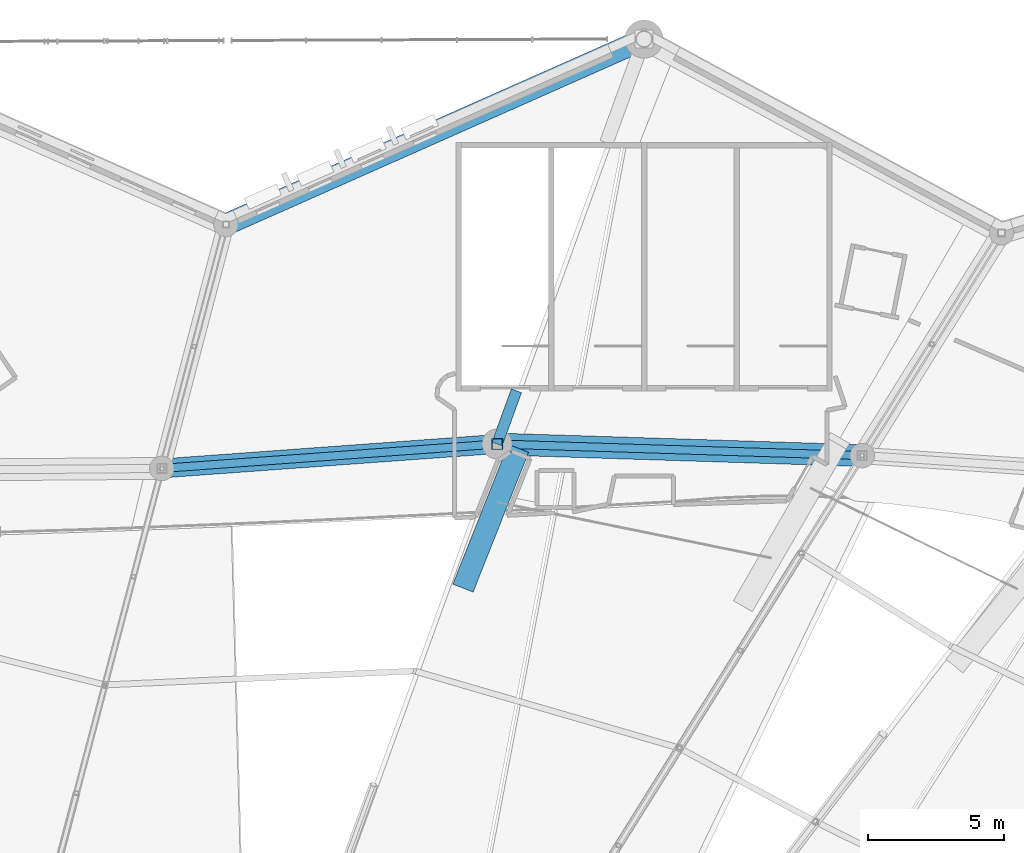
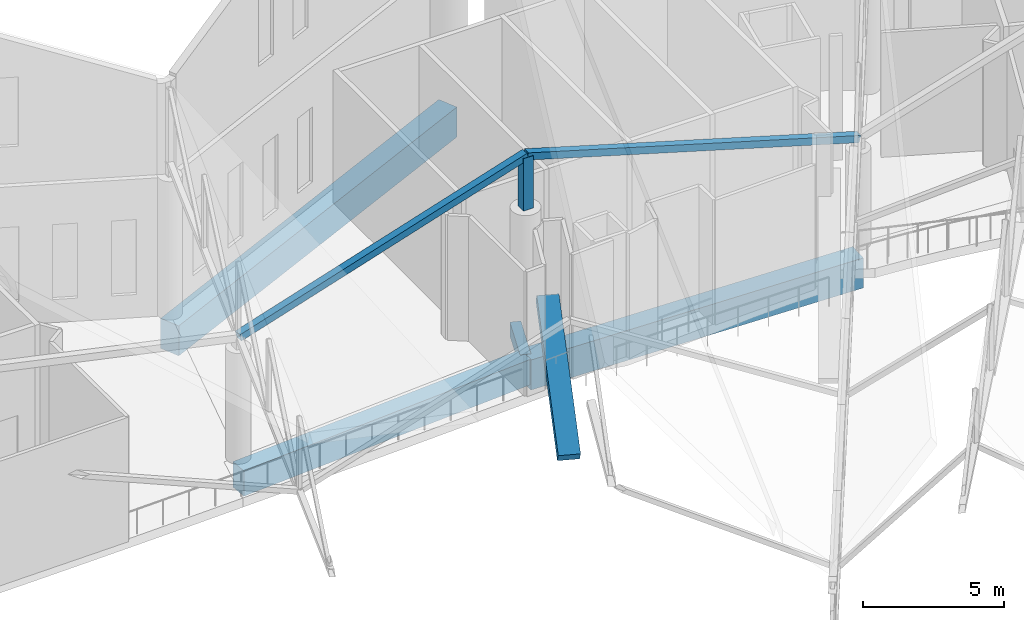
# One storey, part 200 of 344: 5 beams, 3 members.
"""IFC4 building model written with IfcOpenShell, lengths in metres."""

from ifc_helpers import new_model, si_unit, direction, frame, origin, origin_2d, place, context, subcontext, project, spatial, rectangle, hollow_rectangle, extrude, material, material_profile, profile_set, type_object, element, save


model = new_model("IFC4")

# Units and contexts
model_context = context("Model", 3, precision=1e-05, world=origin(), true_north=direction((0.0, 1.0)))
body_context = subcontext(model_context, "Body", "Model", "MODEL_VIEW")
ifc_project = project(units=[si_unit("LENGTHUNIT", "METRE"), si_unit("AREAUNIT", "SQUARE_METRE"), si_unit("VOLUMEUNIT", "CUBIC_METRE"), si_unit("PLANEANGLEUNIT", "RADIAN"), si_unit("MASSUNIT", "GRAM", prefix="KILO")], contexts=[model_context])

# Site, building, storey
site_placement = place(None, origin())
site = spatial("IfcSite", under=ifc_project, at=site_placement, CompositionType="ELEMENT")
building_placement = place(site_placement, origin())
building = spatial("IfcBuilding", under=site, at=building_placement, Name="Meseta Stadium", CompositionType="ELEMENT")
storey_placement = place(building_placement, frame((0.0, 0.0, 24.0)))
storey = spatial("IfcBuildingStorey", under=building, at=storey_placement, Name="L04", CompositionType="ELEMENT", Elevation=24.0)

# Beams
ifc_material_1 = material(Name="Concrete C40/50", Category="concrete")
ifc_material_profile_1 = material_profile(ifc_material_1, rectangle(XDim=0.39990234375, YDim=0.60009765625, at=origin_2d()), Name="RC 400x600")
ifc_profile_set_1 = profile_set([ifc_material_profile_1], Name="Concrete C40/50")
beam_type_1 = type_object("IfcBeamType", Name="RC beam 400x600", PredefinedType="BEAM", material=ifc_profile_set_1)
beam_1_placement = place(storey_placement, frame((32.944091796875, 90.551025390625, -0.699951171875), z_axis=(0.341128443291, 0.940016694095, 0.0), x_axis=(-0.940016694095, 0.341128443291, 0.0)))
element("IfcBeam", 1, at=beam_1_placement, inside=storey, type_object=beam_type_1, Name="L04 radial beam frame 16 line P to R", PredefinedType="BEAM", context=body_context, shape_type="SweptSolid", body=[
    extrude(rectangle(XDim=0.39990234375, YDim=0.60009765625, at=origin_2d()), origin(), (0.0, 0.0, 1.0), 2.0732421875),
])
ifc_material_2 = material(Name="Concrete C40/50", Category="concrete")
ifc_material_profile_2 = material_profile(ifc_material_2, rectangle(XDim=0.699951171875, YDim=1.10009765625, at=origin_2d()), Name="RC 700x1100")
ifc_profile_set_2 = profile_set([ifc_material_profile_2], Name="Concrete C40/50")
beam_type_2 = type_object("IfcBeamType", Name="RC beam 700x1100", PredefinedType="BEAM", material=ifc_profile_set_2)
beam_2_placement = place(storey_placement, frame((32.944091796875, 90.551025390625, -0.949951171875), z_axis=(-0.99736209032, -0.072586918881, 0.0), x_axis=(0.072586918881, -0.99736209032, 0.0)))
element("IfcBeam", 2, at=beam_2_placement, inside=storey, type_object=beam_type_2, Name="L04 ring beam frame 16 line P", PredefinedType="BEAM", context=body_context, shape_type="SweptSolid", body=[
    extrude(rectangle(XDim=0.699951171875, YDim=1.10009765625, at=origin_2d()), origin(), (0.0, 0.0, 1.0), 12.326904296875),
])
ifc_material_3 = material(Name="Concrete C40/50", Category="concrete")
ifc_material_profile_3 = material_profile(ifc_material_3, rectangle(XDim=0.800048828125, YDim=1.300048828125, at=origin_2d()), Name="RC 800x1300")
ifc_profile_set_3 = profile_set([ifc_material_profile_3], Name="Concrete C40/50")
beam_type_3 = type_object("IfcBeamType", Name="RC beam 800x1300", PredefinedType="BEAM", material=ifc_profile_set_3)
beam_3_placement = place(storey_placement, frame((46.333251953125, 90.126220703125, -1.050048828125), z_axis=(-0.999497062289, 0.031711551154, 0.0), x_axis=(-0.031711551154, -0.999497062289, 0.0)))
element("IfcBeam", 3, at=beam_3_placement, inside=storey, type_object=beam_type_3, Name="L04 ring beam frame 15 line P", PredefinedType="BEAM", context=body_context, shape_type="SweptSolid", body=[
    extrude(rectangle(XDim=0.800048828125, YDim=1.300048828125, at=origin_2d()), origin(), (0.0, 0.0, 1.0), 13.39599609375),
])
beam_4_placement = place(storey_placement, frame((38.333251953125, 105.39990234375, -1.050048828125), z_axis=(-0.914142564088, -0.405392861953, 0.0), x_axis=(0.405392861953, -0.914142564088, 0.0)))
element("IfcBeam", 4, at=beam_4_placement, inside=storey, type_object=beam_type_3, Name="L04 ring beam frame 16 line R", PredefinedType="BEAM", context=body_context, shape_type="SweptSolid", body=[
    extrude(rectangle(XDim=0.800048828125, YDim=1.300048828125, at=origin_2d()), origin(), (0.0, 0.0, 1.0), 16.7734375),
])
ifc_material_4 = material(Name="Concrete C40/50", Category="concrete")
ifc_material_profile_4 = material_profile(ifc_material_4, rectangle(XDim=0.800048828125, YDim=0.449951171875, at=origin_2d()), Name="RC 800x450")
ifc_profile_set_4 = profile_set([ifc_material_profile_4], Name="Concrete C40/50")
beam_type_4 = type_object("IfcBeamType", Name="RC raker upper rear 800x450", PredefinedType="USERDEFINED", material=ifc_profile_set_4)
beam_5_placement = place(storey_placement, frame((31.73681640625, 85.376708984375, -1.297607421875), z_axis=(0.312988278729, 0.788750872969, 0.529065589288), x_axis=(-0.929493983417, 0.368837274136, 0.0)))
element("IfcBeam", 5, at=beam_5_placement, inside=storey, type_object=beam_type_4, Name="Raker upper rear frame 16 upper tier", ObjectType="RAKER", PredefinedType="USERDEFINED", context=body_context, shape_type="SweptSolid", body=[
    extrude(rectangle(XDim=0.800048828125, YDim=0.449951171875, at=origin_2d()), origin(), (0.0, 0.0, 1.0), 6.219970703125),
])

# Members
ifc_material_5 = material(Name="Steel S355", Category="steel")
ifc_material_profile_5 = material_profile(ifc_material_5, hollow_rectangle(XDim=0.300048828125, YDim=0.300048828125, WallThickness=0.010009765625, at=origin_2d()), Name="SHS 300x300x10")
ifc_profile_set_5 = profile_set([ifc_material_profile_5], Name="Steel S355")
member_type_1 = type_object("IfcMemberType", Name="SHS 300x300x10 pivot strut", PredefinedType="STRUT", material=ifc_profile_set_5)
member_1_placement = place(storey_placement, frame((46.333251953125, 90.126220703125, 4.598388671875), z_axis=(-0.963927392431, 0.030583014165, 0.264402460967), x_axis=(-0.031711551154, -0.999497062289, 0.0)))
element("IfcMember", 6, at=member_1_placement, inside=storey, type_object=member_type_1, Name="ROOF PIVOT STRUT RT-15/16", PredefinedType="STRUT", context=body_context, shape_type="SweptSolid", body=[
    extrude(hollow_rectangle(XDim=0.300048828125, YDim=0.300048828125, WallThickness=0.010009765625, at=origin_2d()), origin(), (0.0, 0.0, 1.0), 13.89013671875),
])
member_2_placement = place(storey_placement, frame((32.944091796875, 90.551025390625, 8.27099609375), z_axis=(-0.96865612013, -0.07049772986, -0.23819192056), x_axis=(0.072586918881, -0.99736209032, 0.0)))
element("IfcMember", 7, at=member_2_placement, inside=storey, type_object=member_type_1, Name="ROOF PIVOT STRUT RT-16/17", PredefinedType="STRUT", context=body_context, shape_type="SweptSolid", body=[
    extrude(hollow_rectangle(XDim=0.300048828125, YDim=0.300048828125, WallThickness=0.010009765625, at=origin_2d()), origin(), (0.0, 0.0, 1.0), 12.692138671875),
])
ifc_material_6 = material(Name="Steel S355", Category="steel")
ifc_material_profile_6 = material_profile(ifc_material_6, hollow_rectangle(XDim=0.39990234375, YDim=0.39990234375, WallThickness=0.01416015625, at=origin_2d()), Name="SHS 400x400x14.2")
ifc_profile_set_6 = profile_set([ifc_material_profile_6], Name="Steel S355")
member_type_2 = type_object("IfcMemberType", Name="SHS 400x400x14.2 pedestal", PredefinedType="POST", material=ifc_profile_set_6)
member_3_placement = place(storey_placement, frame((32.944091796875, 90.551025390625, 6.0), z_axis=(0.0, 0.0, 1.0), x_axis=(1.0, 0.0, 0.0)))
element("IfcMember", 8, at=member_3_placement, inside=storey, type_object=member_type_2, Name="ROOF TRUSS RT-16 pedestal", PredefinedType="POST", context=body_context, shape_type="SweptSolid", body=[
    extrude(hollow_rectangle(XDim=0.39990234375, YDim=0.39990234375, WallThickness=0.01416015625, at=origin_2d()), origin(), (0.0, 0.0, 1.0), 2.27099609375),
])

save(model, "model.ifc")
